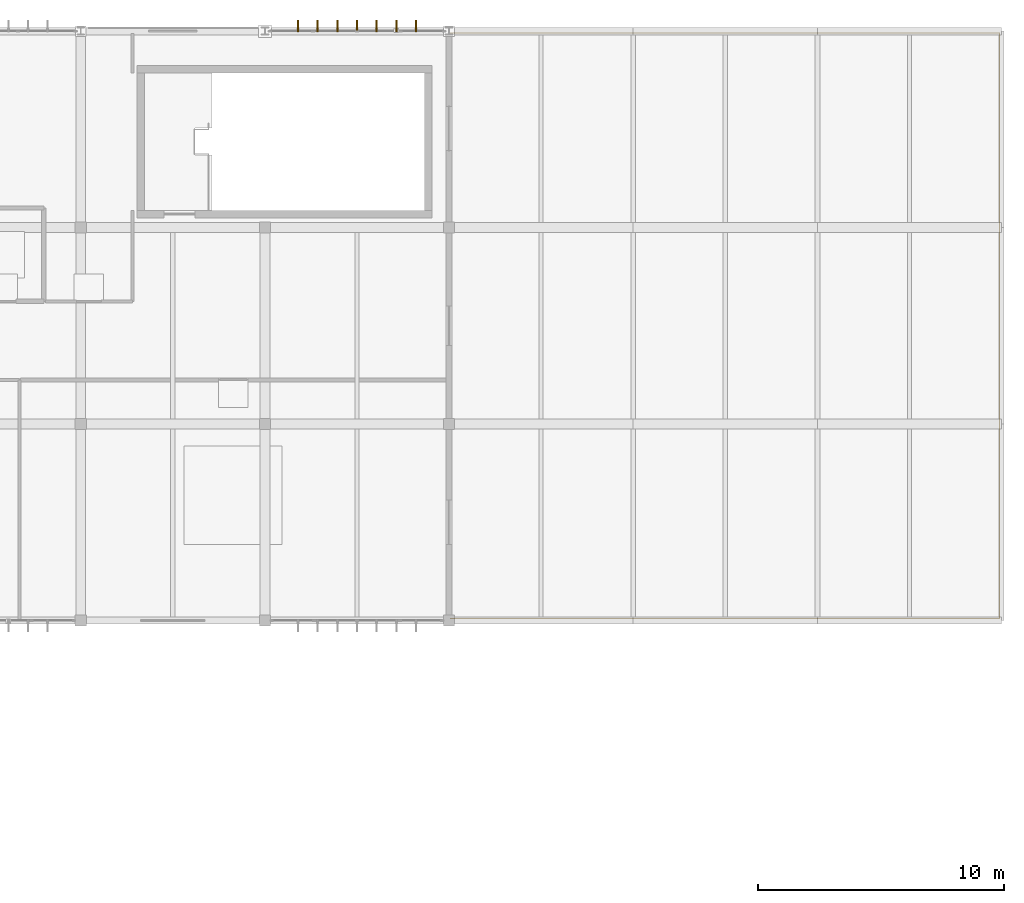
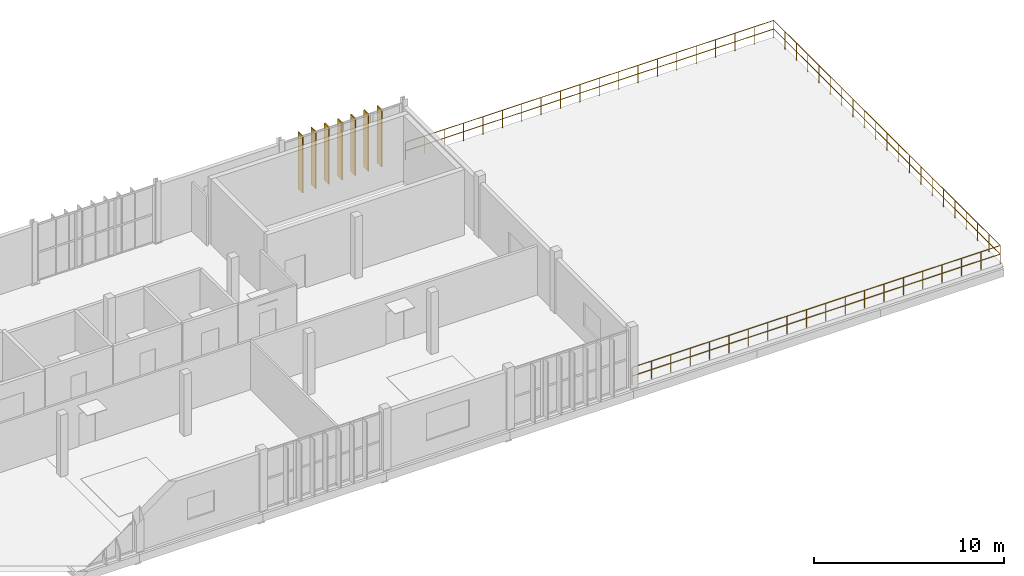
# One storey, part 26 of 26: 7 shading devices, 1 railing.
"""IFC4 building model written with IfcOpenShell, lengths in metres."""

import ifcopenshell
import ifcopenshell.guid

model = None  # the IFC model being written
_history = None  # IfcOwnerHistory: only IFC2X3 demands one
_inside = {}  # id of a spatial element -> (the spatial element, [elements in it])
_under = {}  # id of a project, library or spatial element -> (it, [spatial elements below it])
_declared = {}  # id of a project -> (the project, [libraries it declares])
_typed = {}  # id of a type object -> (the type object, [elements of that type])
_made_of = {}  # id of a material, layer set ... -> (it, [elements and type objects made of it])


def new_model(schema):
    """Start an empty IFC model of exactly this schema.

    Asked for "IFC4X3", IfcOpenShell would pick the latest addendum, in which some entities
    have other attributes; the version numbers below select the first issue.
    IFC2X3 requires an IfcOwnerHistory on every rooted entity: one is made here for all.
    """
    global model, _history
    if schema == "IFC4X3":
        model = ifcopenshell.file(schema_version=(4, 3, 0, 0))
    else:
        model = ifcopenshell.file(schema=schema)
    _inside.clear()
    _under.clear()
    _declared.clear()
    _typed.clear()
    _made_of.clear()
    _history = None
    if model.schema == "IFC2X3":
        org = make("IfcOrganization", Name="unknown")
        user = make(
            "IfcPersonAndOrganization",
            ThePerson=make("IfcPerson", FamilyName="unknown"),
            TheOrganization=org,
        )
        app = make(
            "IfcApplication",
            ApplicationDeveloper=org,
            Version="unknown",
            ApplicationFullName="unknown",
            ApplicationIdentifier="unknown",
        )
        _history = make(
            "IfcOwnerHistory",
            OwningUser=user,
            OwningApplication=app,
            ChangeAction="ADDED",
            CreationDate=0,
        )
    return model


def make(cls, **values):
    """One entity of the class cls with the attributes given. An attribute that is None is left unset."""
    return model.create_entity(
        cls, **{name: value for name, value in values.items() if value is not None}
    )


def rooted(cls, **values):
    """An entity with a GlobalId (a new one), such as an element, a storey or a relation."""
    return make(cls, GlobalId=ifcopenshell.guid.new(), OwnerHistory=_history, **values)


def si_unit(unit_type, name, prefix=None):
    """IfcSIUnit, for example si_unit("LENGTHUNIT", "METRE", prefix="MILLI")."""
    return make("IfcSIUnit", UnitType=unit_type, Prefix=prefix, Name=name)


def assignment(units):
    """IfcUnitAssignment: the units of a project."""
    return None if units is None else make("IfcUnitAssignment", Units=units)


def point(xyz):
    """IfcCartesianPoint."""
    return None if xyz is None else make("IfcCartesianPoint", Coordinates=xyz)


def direction(xyz):
    """IfcDirection."""
    return None if xyz is None else make("IfcDirection", DirectionRatios=xyz)


def frame(location, z_axis=None, x_axis=None):
    """IfcAxis2Placement3D, a coordinate frame: its origin and axes. An axis left out is left unset."""
    return make(
        "IfcAxis2Placement3D",
        Location=point(location),
        Axis=direction(z_axis),
        RefDirection=direction(x_axis),
    )


def frame_2d(location, x_axis=None):
    """IfcAxis2Placement2D, a coordinate frame in the plane: its origin and x axis."""
    return make(
        "IfcAxis2Placement2D", Location=point(location), RefDirection=direction(x_axis)
    )


def origin():
    """The frame at (0, 0, 0) with its axes left unset."""
    return frame((0.0, 0.0, 0.0))


def origin_2d():
    """The frame at (0, 0) in the plane with its x axis left unset."""
    return frame_2d((0.0, 0.0))


def place(relative_to, where):
    """IfcLocalPlacement: puts the frame where relative to a parent placement (None: the world)."""
    return make(
        "IfcLocalPlacement", PlacementRelTo=relative_to, RelativePlacement=where
    )


def context(
    kind, dimensions, precision=None, world=None, true_north=None, identifier=None
):
    """IfcGeometricRepresentationContext, for example the 3D "Model" context."""
    return make(
        "IfcGeometricRepresentationContext",
        ContextIdentifier=identifier,
        ContextType=kind,
        CoordinateSpaceDimension=dimensions,
        Precision=precision,
        WorldCoordinateSystem=world,
        TrueNorth=true_north,
    )


def subcontext(parent, identifier, kind, view, scale=None):
    """IfcGeometricRepresentationSubContext, for example "Body" below "Model"."""
    return make(
        "IfcGeometricRepresentationSubContext",
        ContextIdentifier=identifier,
        ContextType=kind,
        ParentContext=parent,
        TargetScale=scale,
        TargetView=view,
    )


def project(units=None, contexts=None):
    """IfcProject with its units and contexts."""
    return rooted(
        "IfcProject",
        Name="project",
        RepresentationContexts=contexts,
        UnitsInContext=assignment(units),
    )


def spatial(cls, under=None, at=None, **own):
    """A site, building, storey or space (cls), placed at a placement, below another one or the project."""
    s = rooted(cls, ObjectPlacement=at, **own)
    if under is not None:
        _under.setdefault(under.id(), (under, []))[1].append(s)
    return s


def profile(cls, at=None, kind="AREA", **sizes):
    """A parametric profile (cls). Its sizes go by their IFC names, for example OverallWidth=200.0."""
    return make(cls, ProfileType=kind, Position=at, **sizes)


def rectangle(**sizes):
    """IfcRectangleProfileDef."""
    return profile("IfcRectangleProfileDef", **sizes)


def circle(**sizes):
    """IfcCircleProfileDef."""
    return profile("IfcCircleProfileDef", **sizes)


def extrude(swept, where, along, depth):
    """IfcExtrudedAreaSolid: the profile swept, set in the frame where, extruded along a direction by depth."""
    return make(
        "IfcExtrudedAreaSolid",
        SweptArea=swept,
        Position=where,
        ExtrudedDirection=direction(along),
        Depth=depth,
    )


def shape(context_of_items, identifier, shape_type, items):
    """IfcShapeRepresentation: the items that make up one representation, for example the "Body"."""
    return make(
        "IfcShapeRepresentation",
        ContextOfItems=context_of_items,
        RepresentationIdentifier=identifier,
        RepresentationType=shape_type,
        Items=items,
    )


def material(Name=None, Category=None):
    """IfcMaterial."""
    return make("IfcMaterial", Name=Name, Category=Category)


def material_profile(
    of_material, cross_section, Name=None, Category=None, Priority=None
):
    """IfcMaterialProfile: a cross section and its material."""
    return make(
        "IfcMaterialProfile",
        Name=Name,
        Material=of_material,
        Profile=cross_section,
        Priority=Priority,
        Category=Category,
    )


def profile_set(profiles, Name=None, composite=None):
    """IfcMaterialProfileSet."""
    return make(
        "IfcMaterialProfileSet",
        Name=Name,
        MaterialProfiles=profiles,
        CompositeProfile=composite,
    )


def made_of(thing, what):
    """Note that an element or type object is made of a material, layer set ...; save() writes the relation."""
    if what is not None:
        _made_of.setdefault(what.id(), (what, []))[1].append(thing)
    return thing


def type_object(cls, material=None, **own):
    """A type object (cls), such as IfcWallType, which elements share."""
    return made_of(rooted(cls, **own), material)


def element(
    cls,
    number,
    at=None,
    inside=None,
    cuts=None,
    type_object=None,
    material=None,
    context=None,
    identifier="Body",
    shape_type=None,
    held_by="IfcProductDefinitionShape",
    body=None,
    shapes=None,
    **own,
):
    """One element of the class cls, such as IfcWall. Its Tag is "e" and its number.

    at: its placement. inside: the storey or other place that contains it. cuts: it is an
    opening in that element (IfcRelVoidsElement). A single representation is given by context,
    identifier, shape_type and body (its items); several are given by shapes. held_by: the class
    of the entity that holds the representations. save() writes the other relations.
    """
    e = rooted(cls, Tag="e%d" % number, ObjectPlacement=at, **own)
    if body is not None:
        shapes = [shape(context, identifier, shape_type, body)]
    if shapes is not None:
        e.Representation = make(held_by, Representations=shapes)
    if inside is not None:
        _inside.setdefault(inside.id(), (inside, []))[1].append(e)
    if cuts is not None:
        rooted(
            "IfcRelVoidsElement", RelatingBuildingElement=cuts, RelatedOpeningElement=e
        )
    if type_object is not None:
        _typed.setdefault(type_object.id(), (type_object, []))[1].append(e)
    return made_of(e, material)


def aggregate(whole, parts):
    """IfcRelAggregates: a whole, such as a stair, and the parts it consists of."""
    return rooted("IfcRelAggregates", RelatingObject=whole, RelatedObjects=parts)


def save(model, path):
    """Write the relations noted so far, then the file.

    IfcRelAggregates (storeys below a building ...), IfcRelContainedInSpatialStructure (elements
    in a storey), IfcRelDefinesByType, IfcRelAssociatesMaterial and IfcRelDeclares: one each for
    every whole, place, type object, material and project.
    """
    for whole, parts in _under.values():
        aggregate(whole, parts)
    for where, things in _inside.values():
        rooted(
            "IfcRelContainedInSpatialStructure",
            RelatedElements=things,
            RelatingStructure=where,
        )
    for kind, things in _typed.values():
        rooted("IfcRelDefinesByType", RelatedObjects=things, RelatingType=kind)
    for what, things in _made_of.values():
        rooted("IfcRelAssociatesMaterial", RelatedObjects=things, RelatingMaterial=what)
    for by, libraries in _declared.values():
        rooted("IfcRelDeclares", RelatingContext=by, RelatedDefinitions=libraries)
    model.write(path)


model = new_model("IFC4")

# Units and contexts
model_context = context("Model", 3, precision=1e-05, world=origin(), true_north=direction((0.0, 1.0)))
body_context = subcontext(model_context, "Body", "Model", "MODEL_VIEW")
ifc_project = project(units=[si_unit("LENGTHUNIT", "METRE"), si_unit("AREAUNIT", "SQUARE_METRE"), si_unit("VOLUMEUNIT", "CUBIC_METRE"), si_unit("PLANEANGLEUNIT", "RADIAN"), si_unit("MASSUNIT", "GRAM", prefix="KILO")], contexts=[model_context])

# Site, building, storey
site_placement = place(None, origin())
site = spatial("IfcSite", under=ifc_project, at=site_placement, CompositionType="ELEMENT")
building_placement = place(site_placement, origin())
building = spatial("IfcBuilding", under=site, at=building_placement, Name="Vourika Railside Aquatics Centre", CompositionType="ELEMENT")
storey_placement = place(building_placement, frame((0.0, 0.0, 17.699951171875)))
storey = spatial("IfcBuildingStorey", under=building, at=storey_placement, Name="L04", CompositionType="ELEMENT", Elevation=17.699951171875)

# Railing
ifc_material_1 = material(Name="Duplex stainless steel EN 1.4462", Category="steel")
railing_type = type_object("IfcRailingType", Name="RL-BAL-GLS115", PredefinedType="BALUSTRADE", material=ifc_material_1)
railing_placement = place(storey_placement, frame((88.550048828125, 92.080078125, 0.0)))
element("IfcRailing", 1, at=railing_placement, inside=storey, type_object=railing_type, Name="L04 Terrace Perimeter Balustrade", PredefinedType="BALUSTRADE", context=body_context, shape_type="SweptSolid", body=[
    extrude(circle(Radius=0.02392578125, at=origin_2d()), frame((0.0, 0.0, 1.1259765625), z_axis=(1.0, 0.0, 0.0), x_axis=(0.0, 1.0, 0.0)), (0.0, 0.0, 1.0), 22.369873046875),
    extrude(circle(Radius=0.02392578125, at=origin_2d()), frame((0.0, 0.0, 0.574951171875), z_axis=(1.0, 0.0, 0.0), x_axis=(0.0, 1.0, 0.0)), (0.0, 0.0, 1.0), 22.369873046875),
    extrude(circle(Radius=0.02392578125, at=origin_2d()), frame((22.369873046875, 0.0, 1.1259765625), z_axis=(0.0, 1.0, 0.0), x_axis=(-1.0, 0.0, 0.0)), (0.0, 0.0, 1.0), 23.83984375),
    extrude(circle(Radius=0.02392578125, at=origin_2d()), frame((22.369873046875, 0.0, 0.574951171875), z_axis=(0.0, 1.0, 0.0), x_axis=(-1.0, 0.0, 0.0)), (0.0, 0.0, 1.0), 23.83984375),
    extrude(circle(Radius=0.02392578125, at=origin_2d()), frame((22.369873046875, 23.83984375, 1.1259765625), z_axis=(-1.0, 0.0, 0.0), x_axis=(0.0, -1.0, 0.0)), (0.0, 0.0, 1.0), 22.369873046875),
    extrude(circle(Radius=0.02392578125, at=origin_2d()), frame((22.369873046875, 23.83984375, 0.574951171875), z_axis=(-1.0, 0.0, 0.0), x_axis=(0.0, -1.0, 0.0)), (0.0, 0.0, 1.0), 22.369873046875),
    extrude(circle(Radius=0.02099609375, at=origin_2d()), origin(), (0.0, 0.0, 1.0), 1.101806640625),
    extrude(circle(Radius=0.02099609375, at=origin_2d()), frame((1.17724609375, 0.0, 0.0)), (0.0, 0.0, 1.0), 1.101806640625),
    extrude(circle(Radius=0.02099609375, at=origin_2d()), frame((2.354736328125, 0.0, 0.0)), (0.0, 0.0, 1.0), 1.101806640625),
    extrude(circle(Radius=0.02099609375, at=origin_2d()), frame((3.531982421875, 0.0, 0.0)), (0.0, 0.0, 1.0), 1.101806640625),
    extrude(circle(Radius=0.02099609375, at=origin_2d()), frame((4.70947265625, 0.0, 0.0)), (0.0, 0.0, 1.0), 1.101806640625),
    extrude(circle(Radius=0.02099609375, at=origin_2d()), frame((5.88671875, 0.0, 0.0)), (0.0, 0.0, 1.0), 1.101806640625),
    extrude(circle(Radius=0.02099609375, at=origin_2d()), frame((7.064208984375, 0.0, 0.0)), (0.0, 0.0, 1.0), 1.101806640625),
    extrude(circle(Radius=0.02099609375, at=origin_2d()), frame((8.241455078125, 0.0, 0.0)), (0.0, 0.0, 1.0), 1.101806640625),
    extrude(circle(Radius=0.02099609375, at=origin_2d()), frame((9.4189453125, 0.0, 0.0)), (0.0, 0.0, 1.0), 1.101806640625),
    extrude(circle(Radius=0.02099609375, at=origin_2d()), frame((10.59619140625, 0.0, 0.0)), (0.0, 0.0, 1.0), 1.101806640625),
    extrude(circle(Radius=0.02099609375, at=origin_2d()), frame((11.773681640625, 0.0, 0.0)), (0.0, 0.0, 1.0), 1.101806640625),
    extrude(circle(Radius=0.02099609375, at=origin_2d()), frame((12.950927734375, 0.0, 0.0)), (0.0, 0.0, 1.0), 1.101806640625),
    extrude(circle(Radius=0.02099609375, at=origin_2d()), frame((14.12841796875, 0.0, 0.0)), (0.0, 0.0, 1.0), 1.101806640625),
    extrude(circle(Radius=0.02099609375, at=origin_2d()), frame((15.3056640625, 0.0, 0.0)), (0.0, 0.0, 1.0), 1.101806640625),
    extrude(circle(Radius=0.02099609375, at=origin_2d()), frame((16.483154296875, 0.0, 0.0)), (0.0, 0.0, 1.0), 1.101806640625),
    extrude(circle(Radius=0.02099609375, at=origin_2d()), frame((17.660400390625, 0.0, 0.0)), (0.0, 0.0, 1.0), 1.101806640625),
    extrude(circle(Radius=0.02099609375, at=origin_2d()), frame((18.837890625, 0.0, 0.0)), (0.0, 0.0, 1.0), 1.101806640625),
    extrude(circle(Radius=0.02099609375, at=origin_2d()), frame((20.01513671875, 0.0, 0.0)), (0.0, 0.0, 1.0), 1.101806640625),
    extrude(circle(Radius=0.02099609375, at=origin_2d()), frame((21.192626953125, 0.0, 0.0)), (0.0, 0.0, 1.0), 1.101806640625),
    extrude(circle(Radius=0.02099609375, at=origin_2d()), frame((22.369873046875, 0.0, 0.0)), (0.0, 0.0, 1.0), 1.101806640625),
    extrude(circle(Radius=0.02099609375, at=origin_2d()), frame((22.369873046875, 1.19189453125, 0.0)), (0.0, 0.0, 1.0), 1.101806640625),
    extrude(circle(Radius=0.02099609375, at=origin_2d()), frame((22.369873046875, 2.384033203125, 0.0)), (0.0, 0.0, 1.0), 1.101806640625),
    extrude(circle(Radius=0.02099609375, at=origin_2d()), frame((22.369873046875, 3.575927734375, 0.0)), (0.0, 0.0, 1.0), 1.101806640625),
    extrude(circle(Radius=0.02099609375, at=origin_2d()), frame((22.369873046875, 4.76806640625, 0.0)), (0.0, 0.0, 1.0), 1.101806640625),
    extrude(circle(Radius=0.02099609375, at=origin_2d()), frame((22.369873046875, 5.9599609375, 0.0)), (0.0, 0.0, 1.0), 1.101806640625),
    extrude(circle(Radius=0.02099609375, at=origin_2d()), frame((22.369873046875, 7.15185546875, 0.0)), (0.0, 0.0, 1.0), 1.101806640625),
    extrude(circle(Radius=0.02099609375, at=origin_2d()), frame((22.369873046875, 8.343994140625, 0.0)), (0.0, 0.0, 1.0), 1.101806640625),
    extrude(circle(Radius=0.02099609375, at=origin_2d()), frame((22.369873046875, 9.535888671875, 0.0)), (0.0, 0.0, 1.0), 1.101806640625),
    extrude(circle(Radius=0.02099609375, at=origin_2d()), frame((22.369873046875, 10.72802734375, 0.0)), (0.0, 0.0, 1.0), 1.101806640625),
    extrude(circle(Radius=0.02099609375, at=origin_2d()), frame((22.369873046875, 11.919921875, 0.0)), (0.0, 0.0, 1.0), 1.101806640625),
    extrude(circle(Radius=0.02099609375, at=origin_2d()), frame((22.369873046875, 13.11181640625, 0.0)), (0.0, 0.0, 1.0), 1.101806640625),
    extrude(circle(Radius=0.02099609375, at=origin_2d()), frame((22.369873046875, 14.303955078125, 0.0)), (0.0, 0.0, 1.0), 1.101806640625),
    extrude(circle(Radius=0.02099609375, at=origin_2d()), frame((22.369873046875, 15.495849609375, 0.0)), (0.0, 0.0, 1.0), 1.101806640625),
    extrude(circle(Radius=0.02099609375, at=origin_2d()), frame((22.369873046875, 16.68798828125, 0.0)), (0.0, 0.0, 1.0), 1.101806640625),
    extrude(circle(Radius=0.02099609375, at=origin_2d()), frame((22.369873046875, 17.8798828125, 0.0)), (0.0, 0.0, 1.0), 1.101806640625),
    extrude(circle(Radius=0.02099609375, at=origin_2d()), frame((22.369873046875, 19.07177734375, 0.0)), (0.0, 0.0, 1.0), 1.101806640625),
    extrude(circle(Radius=0.02099609375, at=origin_2d()), frame((22.369873046875, 20.263916015625, 0.0)), (0.0, 0.0, 1.0), 1.101806640625),
    extrude(circle(Radius=0.02099609375, at=origin_2d()), frame((22.369873046875, 21.455810546875, 0.0)), (0.0, 0.0, 1.0), 1.101806640625),
    extrude(circle(Radius=0.02099609375, at=origin_2d()), frame((22.369873046875, 22.64794921875, 0.0)), (0.0, 0.0, 1.0), 1.101806640625),
    extrude(circle(Radius=0.02099609375, at=origin_2d()), frame((22.369873046875, 23.83984375, 0.0)), (0.0, 0.0, 1.0), 1.101806640625),
    extrude(circle(Radius=0.02099609375, at=origin_2d()), frame((21.192626953125, 23.83984375, 0.0)), (0.0, 0.0, 1.0), 1.101806640625),
    extrude(circle(Radius=0.02099609375, at=origin_2d()), frame((20.01513671875, 23.83984375, 0.0)), (0.0, 0.0, 1.0), 1.101806640625),
    extrude(circle(Radius=0.02099609375, at=origin_2d()), frame((18.837890625, 23.83984375, 0.0)), (0.0, 0.0, 1.0), 1.101806640625),
    extrude(circle(Radius=0.02099609375, at=origin_2d()), frame((17.660400390625, 23.83984375, 0.0)), (0.0, 0.0, 1.0), 1.101806640625),
    extrude(circle(Radius=0.02099609375, at=origin_2d()), frame((16.483154296875, 23.83984375, 0.0)), (0.0, 0.0, 1.0), 1.101806640625),
    extrude(circle(Radius=0.02099609375, at=origin_2d()), frame((15.3056640625, 23.83984375, 0.0)), (0.0, 0.0, 1.0), 1.101806640625),
    extrude(circle(Radius=0.02099609375, at=origin_2d()), frame((14.12841796875, 23.83984375, 0.0)), (0.0, 0.0, 1.0), 1.101806640625),
    extrude(circle(Radius=0.02099609375, at=origin_2d()), frame((12.950927734375, 23.83984375, 0.0)), (0.0, 0.0, 1.0), 1.101806640625),
    extrude(circle(Radius=0.02099609375, at=origin_2d()), frame((11.773681640625, 23.83984375, 0.0)), (0.0, 0.0, 1.0), 1.101806640625),
    extrude(circle(Radius=0.02099609375, at=origin_2d()), frame((10.59619140625, 23.83984375, 0.0)), (0.0, 0.0, 1.0), 1.101806640625),
    extrude(circle(Radius=0.02099609375, at=origin_2d()), frame((9.4189453125, 23.83984375, 0.0)), (0.0, 0.0, 1.0), 1.101806640625),
    extrude(circle(Radius=0.02099609375, at=origin_2d()), frame((8.241455078125, 23.83984375, 0.0)), (0.0, 0.0, 1.0), 1.101806640625),
    extrude(circle(Radius=0.02099609375, at=origin_2d()), frame((7.064208984375, 23.83984375, 0.0)), (0.0, 0.0, 1.0), 1.101806640625),
    extrude(circle(Radius=0.02099609375, at=origin_2d()), frame((5.88671875, 23.83984375, 0.0)), (0.0, 0.0, 1.0), 1.101806640625),
    extrude(circle(Radius=0.02099609375, at=origin_2d()), frame((4.70947265625, 23.83984375, 0.0)), (0.0, 0.0, 1.0), 1.101806640625),
    extrude(circle(Radius=0.02099609375, at=origin_2d()), frame((3.531982421875, 23.83984375, 0.0)), (0.0, 0.0, 1.0), 1.101806640625),
    extrude(circle(Radius=0.02099609375, at=origin_2d()), frame((2.354736328125, 23.83984375, 0.0)), (0.0, 0.0, 1.0), 1.101806640625),
    extrude(circle(Radius=0.02099609375, at=origin_2d()), frame((1.17724609375, 23.83984375, 0.0)), (0.0, 0.0, 1.0), 1.101806640625),
    extrude(circle(Radius=0.02099609375, at=origin_2d()), frame((0.0, 23.83984375, 0.0)), (0.0, 0.0, 1.0), 1.101806640625),
])

# Shading devices
ifc_material_2 = material(Name="Bronze-anodized extruded aluminium", Category="aluminium")
ifc_material_profile = material_profile(ifc_material_2, rectangle(XDim=0.06005859375, YDim=0.47998046875, at=origin_2d()), Name="ALU-FIN 60x480")
ifc_profile_set = profile_set([ifc_material_profile], Name="Bronze-anodized extruded aluminium")
shading_device_type = type_object("IfcShadingDeviceType", Name="SHD-FIN-F48A", PredefinedType="USERDEFINED", material=ifc_profile_set)
for number, where, z_axis, x_axis, name in (
    (2, (82.35009765625, 116.215087890625, 0.0), (0.0, 0.0, 1.0), (1.0, 0.0, 0.0), "Vertical Solar Fin VSF-1146"),
    (3, (83.14990234375, 116.215087890625, 0.0), (0.0, 0.0, 1.0), (1.0, 0.0, 0.0), "Vertical Solar Fin VSF-1147"),
    (4, (83.949951171875, 116.215087890625, 0.0), (0.0, 0.0, 1.0), (1.0, 0.0, 0.0), "Vertical Solar Fin VSF-1148"),
    (5, (84.75, 116.215087890625, 0.0), (0.0, 0.0, 1.0), (1.0, 0.0, 0.0), "Vertical Solar Fin VSF-1149"),
    (6, (85.550048828125, 116.215087890625, 0.0), (0.0, 0.0, 1.0), (1.0, 0.0, 0.0), "Vertical Solar Fin VSF-1150"),
    (7, (86.35009765625, 116.215087890625, 0.0), (0.0, 0.0, 1.0), (1.0, 0.0, 0.0), "Vertical Solar Fin VSF-1151"),
    (8, (87.14990234375, 116.215087890625, 0.0), (0.0, 0.0, 1.0), (1.0, 0.0, 0.0), "Vertical Solar Fin VSF-1152"),
):
    element("IfcShadingDevice", number, at=place(storey_placement, frame(where, z_axis=z_axis, x_axis=x_axis)), inside=storey, type_object=shading_device_type, Name=name, ObjectType="FIN", PredefinedType="USERDEFINED", context=body_context, shape_type="SweptSolid", body=[
        extrude(rectangle(XDim=0.06005859375, YDim=0.47998046875, at=origin_2d()), origin(), (0.0, 0.0, 1.0), 3.670166015625),
    ])

save(model, "model.ifc")
